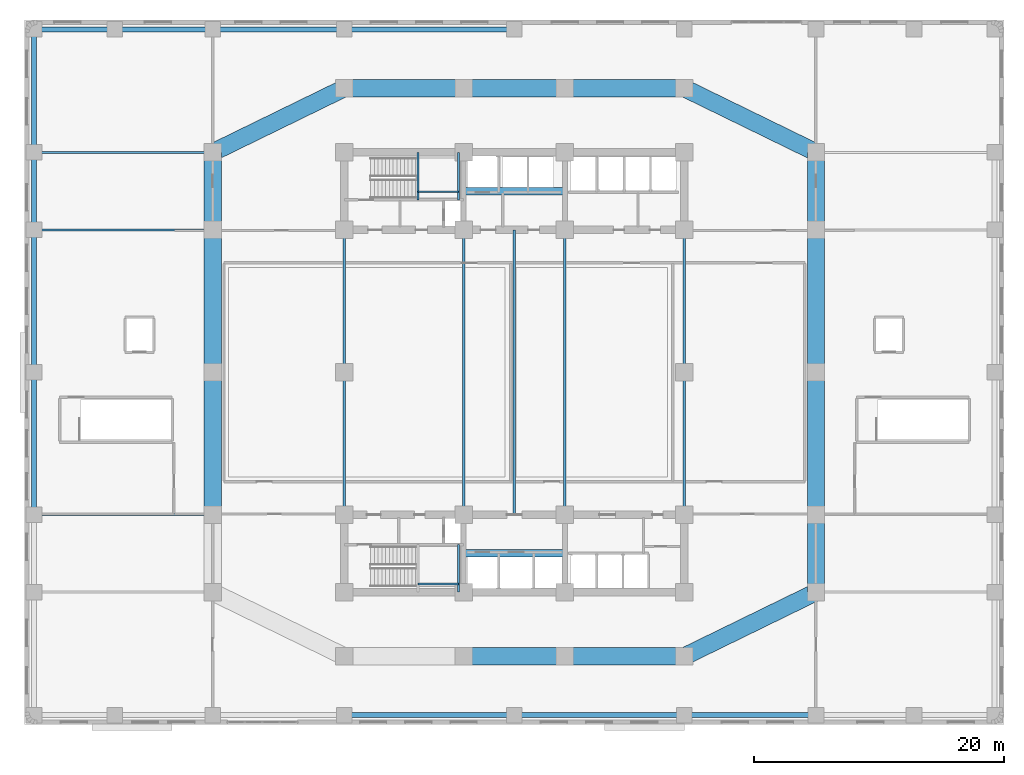
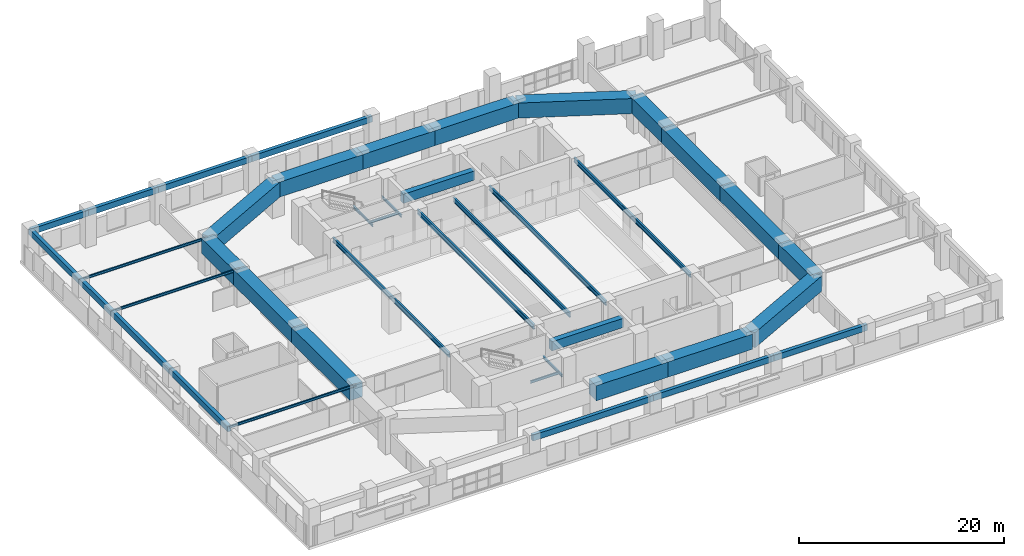
# One storey, part 3 of 13: 41 beams.
"""IFC4 building model written with IfcOpenShell, lengths in metres."""

from ifc_helpers import new_model, si_unit, direction, frame, origin, origin_2d, place, context, subcontext, project, spatial, rectangle, i_section, extrude, material, material_profile, profile_set, type_object, element, save


model = new_model("IFC4")

# Units and contexts
model_context = context("Model", 3, precision=1e-05, world=origin(), true_north=direction((0.0, 1.0)))
body_context = subcontext(model_context, "Body", "Model", "MODEL_VIEW")
ifc_project = project(units=[si_unit("LENGTHUNIT", "METRE"), si_unit("AREAUNIT", "SQUARE_METRE"), si_unit("VOLUMEUNIT", "CUBIC_METRE"), si_unit("PLANEANGLEUNIT", "RADIAN"), si_unit("MASSUNIT", "GRAM", prefix="KILO")], contexts=[model_context])

# Site, building, storey
site_placement = place(None, origin())
site = spatial("IfcSite", under=ifc_project, at=site_placement, CompositionType="ELEMENT")
building_placement = place(site_placement, origin())
building = spatial("IfcBuilding", under=site, at=building_placement, Name="Svetorya Sky Lyceum", CompositionType="ELEMENT")
storey_placement = place(building_placement, frame((0.0, 0.0, 20.10009765625)))
storey = spatial("IfcBuildingStorey", under=building, at=storey_placement, Name="L04", CompositionType="ELEMENT", Elevation=20.10009765625)

# Beams
ifc_material_1 = material(Name="Concrete C60/75", Category="concrete")
ifc_material_profile_1 = material_profile(ifc_material_1, rectangle(XDim=0.60009765625, YDim=1.10009765625, at=origin_2d()), Name="RC COUPLING 600x1100")
ifc_profile_set_1 = profile_set([ifc_material_profile_1], Name="Concrete C60/75")
beam_type_1 = type_object("IfcBeamType", Name="BM-CPL-1100", PredefinedType="LINTEL", material=ifc_profile_set_1)
for number, where, z_axis, x_axis, name in (
    (1, (35.14990234375, 13.699951171875, 3.5498046875), (1.0, 0.0, 0.0), (0.0, 1.0, 0.0), "L04 SC Core Coupling Beam"),
    (2, (35.14990234375, 42.699951171875, 3.5498046875), (1.0, 0.0, 0.0), (0.0, 1.0, 0.0), "L04 NC Core Coupling Beam"),
):
    element("IfcBeam", number, at=place(storey_placement, frame(where, z_axis=z_axis, x_axis=x_axis)), inside=storey, type_object=beam_type_1, Name=name, PredefinedType="LINTEL", context=body_context, shape_type="SweptSolid", body=[
        extrude(rectangle(XDim=0.60009765625, YDim=1.10009765625, at=origin_2d()), origin(), (0.0, 0.0, 1.0), 8.10009765625),
    ])
ifc_material_2 = material(Name="Concrete C50/60", Category="concrete")
ifc_material_profile_2 = material_profile(ifc_material_2, rectangle(XDim=0.39990234375, YDim=0.699951171875, at=origin_2d()), Name="RC SPANDREL 400x700")
ifc_profile_set_2 = profile_set([ifc_material_profile_2], Name="Concrete C50/60")
beam_type_2 = type_object("IfcBeamType", Name="BM-SPN-700", PredefinedType="SPANDREL", material=ifc_profile_set_2)
beam_1_placement = place(storey_placement, frame((0.75, 55.64990234375, 3.75), z_axis=(1.0, 0.0, 0.0), x_axis=(0.0, 1.0, 0.0)))
element("IfcBeam", 3, at=beam_1_placement, inside=storey, type_object=beam_type_2, Name="L04 Podium North Spandrel 1", PredefinedType="SPANDREL", context=body_context, shape_type="SweptSolid", body=[
    extrude(rectangle(XDim=0.39990234375, YDim=0.699951171875, at=origin_2d()), origin(), (0.0, 0.0, 1.0), 6.449951171875),
])
beam_2_placement = place(storey_placement, frame((7.199951171875, 55.64990234375, 3.75), z_axis=(1.0, 0.0, 0.0), x_axis=(0.0, 1.0, 0.0)))
element("IfcBeam", 4, at=beam_2_placement, inside=storey, type_object=beam_type_2, Name="L04 Podium North Spandrel 2", PredefinedType="SPANDREL", context=body_context, shape_type="SweptSolid", body=[
    extrude(rectangle(XDim=0.39990234375, YDim=0.699951171875, at=origin_2d()), origin(), (0.0, 0.0, 1.0), 7.85009765625),
])
beam_3_placement = place(storey_placement, frame((15.050048828125, 55.64990234375, 3.75), z_axis=(1.0, 0.0, 0.0), x_axis=(0.0, 1.0, 0.0)))
element("IfcBeam", 5, at=beam_3_placement, inside=storey, type_object=beam_type_2, Name="L04 Podium North Spandrel 3", PredefinedType="SPANDREL", context=body_context, shape_type="SweptSolid", body=[
    extrude(rectangle(XDim=0.39990234375, YDim=0.699951171875, at=origin_2d()), origin(), (0.0, 0.0, 1.0), 10.550048828125),
])
for number, where, z_axis, x_axis, name in (
    (6, (25.60009765625, 0.75, 3.75), (1.0, 0.0, 0.0), (0.0, 1.0, 0.0), "L04 Podium South Spandrel 4"),
    (7, (25.60009765625, 55.64990234375, 3.75), (1.0, 0.0, 0.0), (0.0, 1.0, 0.0), "L04 Podium North Spandrel 4"),
):
    element("IfcBeam", number, at=place(storey_placement, frame(where, z_axis=z_axis, x_axis=x_axis)), inside=storey, type_object=beam_type_2, Name=name, PredefinedType="SPANDREL", context=body_context, shape_type="SweptSolid", body=[
        extrude(rectangle(XDim=0.39990234375, YDim=0.699951171875, at=origin_2d()), origin(), (0.0, 0.0, 1.0), 13.599853515625),
    ])
beam_4_placement = place(storey_placement, frame((39.199951171875, 0.75, 3.75), z_axis=(1.0, 0.0, 0.0), x_axis=(0.0, 1.0, 0.0)))
element("IfcBeam", 8, at=beam_4_placement, inside=storey, type_object=beam_type_2, Name="L04 Podium South Spandrel 5", PredefinedType="SPANDREL", context=body_context, shape_type="SweptSolid", body=[
    extrude(rectangle(XDim=0.39990234375, YDim=0.699951171875, at=origin_2d()), origin(), (0.0, 0.0, 1.0), 13.60009765625),
])
beam_5_placement = place(storey_placement, frame((52.800048828125, 0.75, 3.75), z_axis=(1.0, 0.0, 0.0), x_axis=(0.0, 1.0, 0.0)))
element("IfcBeam", 9, at=beam_5_placement, inside=storey, type_object=beam_type_2, Name="L04 Podium South Spandrel 6", PredefinedType="SPANDREL", context=body_context, shape_type="SweptSolid", body=[
    extrude(rectangle(XDim=0.39990234375, YDim=0.699951171875, at=origin_2d()), origin(), (0.0, 0.0, 1.0), 10.550048828125),
])
beam_6_placement = place(storey_placement, frame((0.75, 16.800048828125, 3.75), z_axis=(0.0, 1.0, 0.0), x_axis=(-1.0, 0.0, 0.0)))
element("IfcBeam", 10, at=beam_6_placement, inside=storey, type_object=beam_type_2, Name="L04 Podium West Spandrel 3", PredefinedType="SPANDREL", context=body_context, shape_type="SweptSolid", body=[
    extrude(rectangle(XDim=0.39990234375, YDim=0.699951171875, at=origin_2d()), origin(), (0.0, 0.0, 1.0), 11.39990234375),
])
beam_7_placement = place(storey_placement, frame((0.75, 28.199951171875, 3.75), z_axis=(0.0, 1.0, 0.0), x_axis=(-1.0, 0.0, 0.0)))
element("IfcBeam", 11, at=beam_7_placement, inside=storey, type_object=beam_type_2, Name="L04 Podium West Spandrel 4", PredefinedType="SPANDREL", context=body_context, shape_type="SweptSolid", body=[
    extrude(rectangle(XDim=0.39990234375, YDim=0.699951171875, at=origin_2d()), origin(), (0.0, 0.0, 1.0), 11.400146484375),
])
beam_8_placement = place(storey_placement, frame((0.75, 39.60009765625, 3.75), z_axis=(0.0, 1.0, 0.0), x_axis=(-1.0, 0.0, 0.0)))
element("IfcBeam", 12, at=beam_8_placement, inside=storey, type_object=beam_type_2, Name="L04 Podium West Spandrel 5", PredefinedType="SPANDREL", context=body_context, shape_type="SweptSolid", body=[
    extrude(rectangle(XDim=0.39990234375, YDim=0.699951171875, at=origin_2d()), origin(), (0.0, 0.0, 1.0), 6.199951171875),
])
beam_9_placement = place(storey_placement, frame((0.75, 45.800048828125, 3.75), z_axis=(0.0, 1.0, 0.0), x_axis=(-1.0, 0.0, 0.0)))
element("IfcBeam", 13, at=beam_9_placement, inside=storey, type_object=beam_type_2, Name="L04 Podium West Spandrel 6", PredefinedType="SPANDREL", context=body_context, shape_type="SweptSolid", body=[
    extrude(rectangle(XDim=0.39990234375, YDim=0.699951171875, at=origin_2d()), origin(), (0.0, 0.0, 1.0), 9.849853515625),
])
ifc_material_3 = material(Name="Steel S355", Category="steel")
ifc_material_profile_3 = material_profile(ifc_material_3, i_section(OverallWidth=0.14990234375, OverallDepth=0.299072265625, WebThickness=0.006591796875, FlangeThickness=0.010498046875, at=origin_2d()), Name="GOST 30B2")
ifc_profile_set_3 = profile_set([ifc_material_profile_3], Name="Steel S355")
beam_type_3 = type_object("IfcBeamType", Name="BM-STL-30B2", PredefinedType="JOIST", material=ifc_profile_set_3)
for number, where, z_axis, x_axis, name in (
    (14, (0.75, 16.800048828125, 3.950439453125), (1.0, 0.0, 0.0), (0.0, 1.0, 0.0), "L04 Podium Wing Joist W2"),
    (15, (0.75, 39.60009765625, 3.950439453125), (1.0, 0.0, 0.0), (0.0, 1.0, 0.0), "L04 Podium Wing Joist W3"),
    (16, (0.75, 45.800048828125, 3.950439453125), (1.0, 0.0, 0.0), (0.0, 1.0, 0.0), "L04 Podium Wing Joist W4"),
):
    element("IfcBeam", number, at=place(storey_placement, frame(where, z_axis=z_axis, x_axis=x_axis)), inside=storey, type_object=beam_type_3, Name=name, PredefinedType="JOIST", context=body_context, shape_type="SweptSolid", body=[
        extrude(i_section(OverallWidth=0.14990234375, OverallDepth=0.299072265625, WebThickness=0.006591796875, FlangeThickness=0.010498046875, at=origin_2d()), origin(), (0.0, 0.0, 1.0), 14.300048828125),
    ])
beam_10_placement = place(storey_placement, frame((34.719970703125, 10.60009765625, 1.900390625), z_axis=(0.0, 1.0, 0.0), x_axis=(-1.0, 0.0, 0.0)))
element("IfcBeam", 17, at=beam_10_placement, inside=storey, type_object=beam_type_3, Name="L04 Stair ST-S Half-Landing Support Beam 6.2", PredefinedType="JOIST", context=body_context, shape_type="SweptSolid", body=[
    extrude(i_section(OverallWidth=0.14990234375, OverallDepth=0.299072265625, WebThickness=0.006591796875, FlangeThickness=0.010498046875, at=origin_2d()), origin(), (0.0, 0.0, 1.0), 3.7998046875),
])
beam_11_placement = place(storey_placement, frame((31.47998046875, 11.25, 1.900390625), z_axis=(1.0, 0.0, 0.0), x_axis=(0.0, 1.0, 0.0)))
element("IfcBeam", 18, at=beam_11_placement, inside=storey, type_object=beam_type_3, Name="L04 Stair ST-S Half-Landing Cross Tie 6", PredefinedType="JOIST", context=body_context, shape_type="SweptSolid", body=[
    extrude(i_section(OverallWidth=0.14990234375, OverallDepth=0.299072265625, WebThickness=0.006591796875, FlangeThickness=0.010498046875, at=origin_2d()), origin(), (0.0, 0.0, 1.0), 3.239990234375),
])
for number, where, z_axis, x_axis, name in (
    (19, (31.47998046875, 42.0, 1.900390625), (0.0, 1.0, 0.0), (-1.0, 0.0, 0.0), "L04 Stair ST-N Half-Landing Support Beam 6.1"),
    (20, (34.719970703125, 42.0, 1.900390625), (0.0, 1.0, 0.0), (-1.0, 0.0, 0.0), "L04 Stair ST-N Half-Landing Support Beam 6.2"),
):
    element("IfcBeam", number, at=place(storey_placement, frame(where, z_axis=z_axis, x_axis=x_axis)), inside=storey, type_object=beam_type_3, Name=name, PredefinedType="JOIST", context=body_context, shape_type="SweptSolid", body=[
        extrude(i_section(OverallWidth=0.14990234375, OverallDepth=0.299072265625, WebThickness=0.006591796875, FlangeThickness=0.010498046875, at=origin_2d()), origin(), (0.0, 0.0, 1.0), 3.800048828125),
    ])
beam_12_placement = place(storey_placement, frame((31.47998046875, 42.64990234375, 1.900390625), z_axis=(1.0, 0.0, 0.0), x_axis=(0.0, 1.0, 0.0)))
element("IfcBeam", 21, at=beam_12_placement, inside=storey, type_object=beam_type_3, Name="L04 Stair ST-N Half-Landing Cross Tie 6", PredefinedType="JOIST", context=body_context, shape_type="SweptSolid", body=[
    extrude(i_section(OverallWidth=0.14990234375, OverallDepth=0.299072265625, WebThickness=0.006591796875, FlangeThickness=0.010498046875, at=origin_2d()), origin(), (0.0, 0.0, 1.0), 3.239990234375),
])
ifc_material_profile_4 = material_profile(ifc_material_3, i_section(OverallWidth=0.2099609375, OverallDepth=0.550048828125, WebThickness=0.010986328125, FlangeThickness=0.017578125, at=origin_2d()), Name="GOST 55B2")
ifc_profile_set_4 = profile_set([ifc_material_profile_4], Name="Steel S355")
beam_type_4 = type_object("IfcBeamType", Name="BM-STL-55B2", PredefinedType="BEAM", material=ifc_profile_set_4)
for number, where, z_axis, x_axis, name in (
    (22, (25.60009765625, 16.800048828125, 3.824951171875), (0.0, 1.0, 0.0), (-1.0, 0.0, 0.0), "L04 Lyceum Hall Steel Girder HG-2"),
    (23, (35.14990234375, 16.800048828125, 3.824951171875), (0.0, 1.0, 0.0), (-1.0, 0.0, 0.0), "L04 Lyceum Hall Steel Girder HG-3"),
    (24, (39.199951171875, 16.800048828125, 3.824951171875), (0.0, 1.0, 0.0), (-1.0, 0.0, 0.0), "L04 Lyceum Hall Steel Girder HG-4"),
    (25, (43.25, 16.800048828125, 3.824951171875), (0.0, 1.0, 0.0), (-1.0, 0.0, 0.0), "L04 Lyceum Hall Steel Girder HG-5"),
    (26, (52.800048828125, 16.800048828125, 3.824951171875), (0.0, 1.0, 0.0), (-1.0, 0.0, 0.0), "L04 Lyceum Hall Steel Girder HG-6"),
):
    element("IfcBeam", number, at=place(storey_placement, frame(where, z_axis=z_axis, x_axis=x_axis)), inside=storey, type_object=beam_type_4, Name=name, PredefinedType="BEAM", context=body_context, shape_type="SweptSolid", body=[
        extrude(i_section(OverallWidth=0.2099609375, OverallDepth=0.550048828125, WebThickness=0.010986328125, FlangeThickness=0.017578125, at=origin_2d()), origin(), (0.0, 0.0, 1.0), 22.800048828125),
    ])
ifc_material_profile_5 = material_profile(ifc_material_1, rectangle(XDim=1.39990234375, YDim=1.800048828125, at=origin_2d()), Name="RC TRANSFER 1400x1800")
ifc_profile_set_5 = profile_set([ifc_material_profile_5], Name="Concrete C60/75")
beam_type_5 = type_object("IfcBeamType", Name="BM-TRF-2200", PredefinedType="BEAM", material=ifc_profile_set_5)
beam_13_placement = place(storey_placement, frame((25.60009765625, 50.949951171875, 3.199951171875), z_axis=(1.0, 0.0, 0.0), x_axis=(0.0, 1.0, 0.0)))
element("IfcBeam", 27, at=beam_13_placement, inside=storey, type_object=beam_type_5, Name="L04 Transfer Girder TGN-1", PredefinedType="BEAM", context=body_context, shape_type="SweptSolid", body=[
    extrude(rectangle(XDim=1.39990234375, YDim=1.800048828125, at=origin_2d()), origin(), (0.0, 0.0, 1.0), 9.5498046875),
])
for number, where, z_axis, x_axis, name in (
    (28, (35.14990234375, 5.449951171875, 3.199951171875), (1.0, 0.0, 0.0), (0.0, 1.0, 0.0), "L04 Transfer Girder TGS-2"),
    (29, (35.14990234375, 50.949951171875, 3.199951171875), (1.0, 0.0, 0.0), (0.0, 1.0, 0.0), "L04 Transfer Girder TGN-2"),
):
    element("IfcBeam", number, at=place(storey_placement, frame(where, z_axis=z_axis, x_axis=x_axis)), inside=storey, type_object=beam_type_5, Name=name, PredefinedType="BEAM", context=body_context, shape_type="SweptSolid", body=[
        extrude(rectangle(XDim=1.39990234375, YDim=1.800048828125, at=origin_2d()), origin(), (0.0, 0.0, 1.0), 8.10009765625),
    ])
for number, where, z_axis, x_axis, name in (
    (30, (43.25, 5.449951171875, 3.199951171875), (1.0, 0.0, 0.0), (0.0, 1.0, 0.0), "L04 Transfer Girder TGS-3"),
    (31, (43.25, 50.949951171875, 3.199951171875), (1.0, 0.0, 0.0), (0.0, 1.0, 0.0), "L04 Transfer Girder TGN-3"),
):
    element("IfcBeam", number, at=place(storey_placement, frame(where, z_axis=z_axis, x_axis=x_axis)), inside=storey, type_object=beam_type_5, Name=name, PredefinedType="BEAM", context=body_context, shape_type="SweptSolid", body=[
        extrude(rectangle(XDim=1.39990234375, YDim=1.800048828125, at=origin_2d()), origin(), (0.0, 0.0, 1.0), 9.550048828125),
    ])
beam_14_placement = place(storey_placement, frame((63.35009765625, 10.60009765625, 3.199951171875), z_axis=(0.0, 1.0, 0.0), x_axis=(-1.0, 0.0, 0.0)))
element("IfcBeam", 32, at=beam_14_placement, inside=storey, type_object=beam_type_5, Name="L04 Transfer Girder TGE-1", PredefinedType="BEAM", context=body_context, shape_type="SweptSolid", body=[
    extrude(rectangle(XDim=1.39990234375, YDim=1.800048828125, at=origin_2d()), origin(), (0.0, 0.0, 1.0), 6.199951171875),
])
for number, where, z_axis, x_axis, name in (
    (33, (15.050048828125, 16.800048828125, 3.199951171875), (0.0, 1.0, 0.0), (-1.0, 0.0, 0.0), "L04 Transfer Girder TGW-2"),
    (34, (63.35009765625, 16.800048828125, 3.199951171875), (0.0, 1.0, 0.0), (-1.0, 0.0, 0.0), "L04 Transfer Girder TGE-2"),
):
    element("IfcBeam", number, at=place(storey_placement, frame(where, z_axis=z_axis, x_axis=x_axis)), inside=storey, type_object=beam_type_5, Name=name, PredefinedType="BEAM", context=body_context, shape_type="SweptSolid", body=[
        extrude(rectangle(XDim=1.39990234375, YDim=1.800048828125, at=origin_2d()), origin(), (0.0, 0.0, 1.0), 11.39990234375),
    ])
for number, where, z_axis, x_axis, name in (
    (35, (15.050048828125, 28.199951171875, 3.199951171875), (0.0, 1.0, 0.0), (-1.0, 0.0, 0.0), "L04 Transfer Girder TGW-3"),
    (36, (63.35009765625, 28.199951171875, 3.199951171875), (0.0, 1.0, 0.0), (-1.0, 0.0, 0.0), "L04 Transfer Girder TGE-3"),
):
    element("IfcBeam", number, at=place(storey_placement, frame(where, z_axis=z_axis, x_axis=x_axis)), inside=storey, type_object=beam_type_5, Name=name, PredefinedType="BEAM", context=body_context, shape_type="SweptSolid", body=[
        extrude(rectangle(XDim=1.39990234375, YDim=1.800048828125, at=origin_2d()), origin(), (0.0, 0.0, 1.0), 11.400146484375),
    ])
for number, where, z_axis, x_axis, name in (
    (37, (15.050048828125, 39.60009765625, 3.199951171875), (0.0, 1.0, 0.0), (-1.0, 0.0, 0.0), "L04 Transfer Girder TGW-4"),
    (38, (63.35009765625, 39.60009765625, 3.199951171875), (0.0, 1.0, 0.0), (-1.0, 0.0, 0.0), "L04 Transfer Girder TGE-4"),
):
    element("IfcBeam", number, at=place(storey_placement, frame(where, z_axis=z_axis, x_axis=x_axis)), inside=storey, type_object=beam_type_5, Name=name, PredefinedType="BEAM", context=body_context, shape_type="SweptSolid", body=[
        extrude(rectangle(XDim=1.39990234375, YDim=1.800048828125, at=origin_2d()), origin(), (0.0, 0.0, 1.0), 6.199951171875),
    ])
for number, where, z_axis, x_axis, name in (
    (39, (52.800048828125, 5.449951171875, 3.199951171875), (0.898641495694, 0.438683783854, 0.0), (-0.438683783854, 0.898641495694, 0.0), "L04 Corner Transfer Girder 2"),
    (40, (63.35009765625, 45.800048828125, 3.199951171875), (-0.898649693653, 0.438666989978, 0.0), (-0.438666989978, -0.898649693653, 0.0), "L04 Corner Transfer Girder 3"),
    (41, (15.050048828125, 45.800048828125, 3.199951171875), (0.898649693653, 0.438666989978, 0.0), (-0.438666989978, 0.898649693653, 0.0), "L04 Corner Transfer Girder 4"),
):
    element("IfcBeam", number, at=place(storey_placement, frame(where, z_axis=z_axis, x_axis=x_axis)), inside=storey, type_object=beam_type_5, Name=name, PredefinedType="BEAM", context=body_context, shape_type="SweptSolid", body=[
        extrude(rectangle(XDim=1.39990234375, YDim=1.800048828125, at=origin_2d()), origin(), (0.0, 0.0, 1.0), 11.739990234375),
    ])

save(model, "model.ifc")
